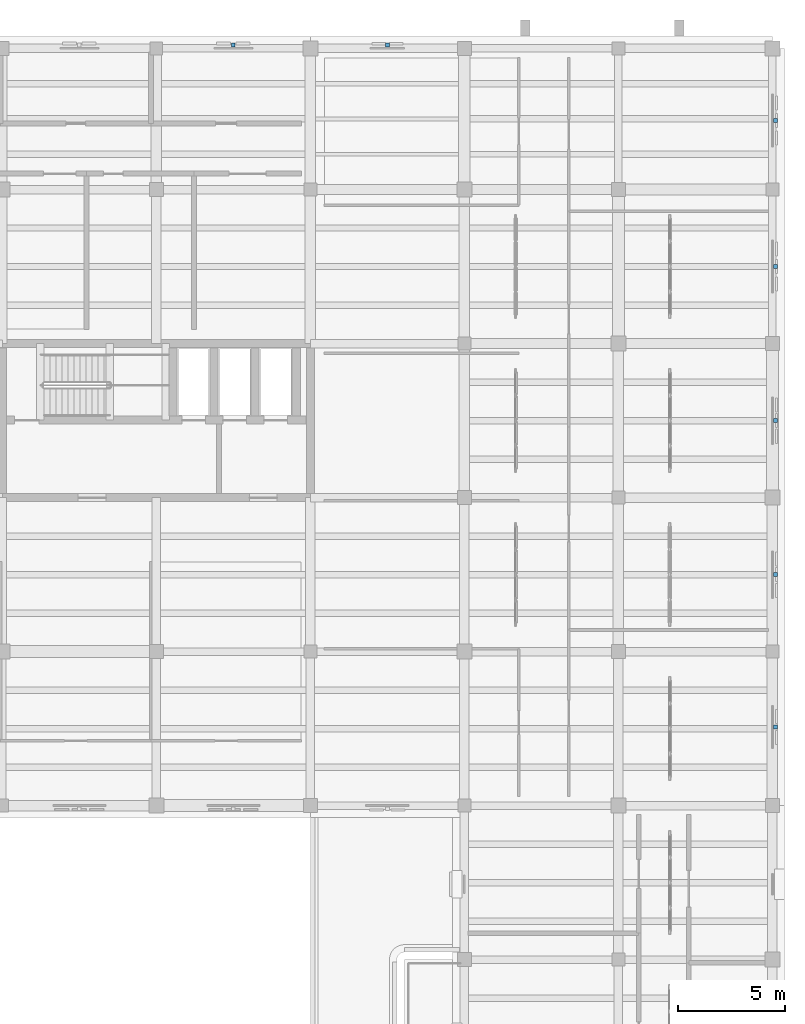
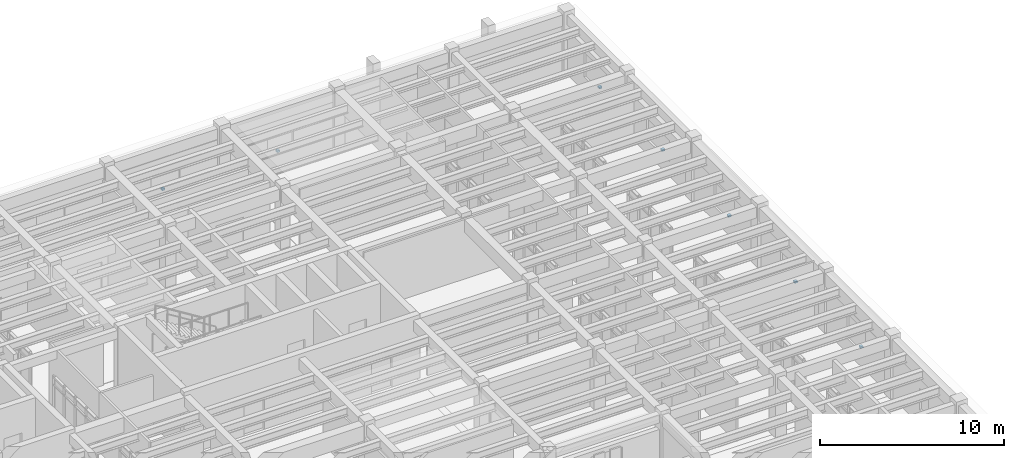
# One storey, part 32 of 40: 7 discrete accessories.
"""IFC4 building model written with IfcOpenShell, lengths in metres."""

from ifc_helpers import new_model, si_unit, direction, frame, origin, origin_2d, place, context, subcontext, project, spatial, rectangle, extrude, material, type_object, element, save


model = new_model("IFC4")

# Units and contexts
model_context = context("Model", 3, precision=1e-05, world=origin(), true_north=direction((0.0, 1.0)))
body_context = subcontext(model_context, "Body", "Model", "MODEL_VIEW")
ifc_project = project(units=[si_unit("LENGTHUNIT", "METRE"), si_unit("AREAUNIT", "SQUARE_METRE"), si_unit("VOLUMEUNIT", "CUBIC_METRE"), si_unit("PLANEANGLEUNIT", "RADIAN"), si_unit("MASSUNIT", "GRAM", prefix="KILO")], contexts=[model_context])

# Site, building, storey
site_placement = place(None, origin())
site = spatial("IfcSite", under=ifc_project, at=site_placement, CompositionType="ELEMENT")
building_placement = place(site_placement, origin())
building = spatial("IfcBuilding", under=site, at=building_placement, Name="Mithqara Police Headquarters", CompositionType="ELEMENT")
storey_placement = place(building_placement, frame((0.0, 0.0, 13.800048828125)))
storey = spatial("IfcBuildingStorey", under=building, at=storey_placement, Name="L03", CompositionType="ELEMENT", Elevation=13.800048828125)

# Discrete accessories
ifc_material = material(Name="Steel S355JR", Category="steel")
discrete_accessory_type = type_object("IfcDiscreteAccessoryType", Name="SCREEN BRACKET SS", PredefinedType="BRACKET", material=ifc_material)
for number, where, z_axis, x_axis, name in (
    (1, (166.35009765625, 82.27490234375, 0.849853515625), (0.0, 0.0, 1.0), (0.0, 1.0, 0.0), "L03 Stone Screen Support Bracket 11.1"),
    (2, (166.35009765625, 89.39990234375, 0.849853515625), (0.0, 0.0, 1.0), (0.0, 1.0, 0.0), "L03 Stone Screen Support Bracket 11.2"),
    (3, (166.35009765625, 96.60009765625, 0.849853515625), (0.0, 0.0, 1.0), (0.0, 1.0, 0.0), "L03 Stone Screen Support Bracket 11.3"),
    (4, (166.35009765625, 103.800048828125, 0.849853515625), (0.0, 0.0, 1.0), (0.0, 1.0, 0.0), "L03 Stone Screen Support Bracket 11.4"),
    (5, (166.35009765625, 110.625, 0.849853515625), (0.0, 0.0, 1.0), (0.0, 1.0, 0.0), "L03 Stone Screen Support Bracket 11.5"),
    (6, (148.199951171875, 114.14990234375, 0.849853515625), (0.0, 0.0, 1.0), (1.0, 0.0, 0.0), "L03 Stone Screen Support Bracket 12.1"),
    (7, (141.0, 114.14990234375, 0.849853515625), (0.0, 0.0, 1.0), (1.0, 0.0, 0.0), "L03 Stone Screen Support Bracket 13.5"),
):
    element("IfcDiscreteAccessory", number, at=place(storey_placement, frame(where, z_axis=z_axis, x_axis=x_axis)), inside=storey, type_object=discrete_accessory_type, Name=name, PredefinedType="BRACKET", context=body_context, shape_type="SweptSolid", body=[
        extrude(rectangle(XDim=0.179931640625, YDim=0.179931640625, at=origin_2d()), origin(), (0.0, 0.0, 1.0), 0.1201171875),
    ])

save(model, "model.ifc")
